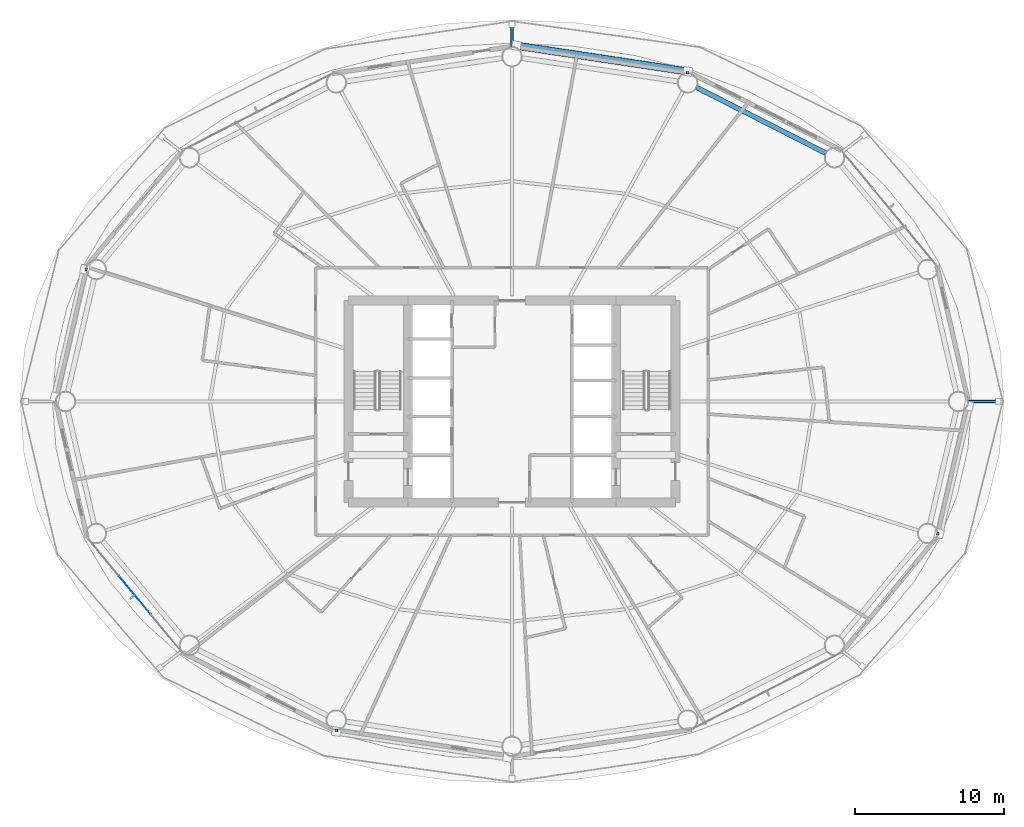
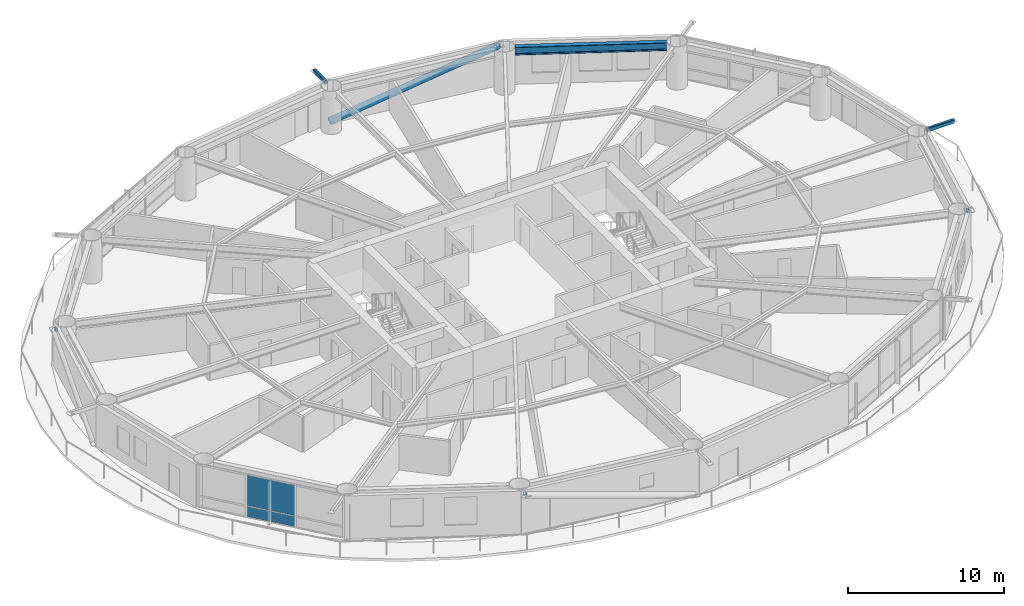
# One storey, part 15 of 26: 7 members, 2 plates, 1 beam, 1 element without a shape of its own.
"""IFC4 building model written with IfcOpenShell, lengths in metres."""

from ifc_helpers import new_model, si_unit, direction, frame, origin, origin_2d, place, context, subcontext, project, spatial, rectangle, hollow_rectangle, hollow_circle, i_section, extrude, material, layer, layer_set, material_profile, profile_set, type_object, element, aggregate, save


model = new_model("IFC4")

# Units and contexts
model_context = context("Model", 3, precision=1e-05, world=origin(), true_north=direction((0.0, 1.0)))
body_context = subcontext(model_context, "Body", "Model", "MODEL_VIEW")
ifc_project = project(units=[si_unit("LENGTHUNIT", "METRE"), si_unit("AREAUNIT", "SQUARE_METRE"), si_unit("VOLUMEUNIT", "CUBIC_METRE"), si_unit("PLANEANGLEUNIT", "RADIAN"), si_unit("MASSUNIT", "GRAM", prefix="KILO")], contexts=[model_context])

# Site, building, storey
site_placement = place(None, origin())
site = spatial("IfcSite", under=ifc_project, at=site_placement, CompositionType="ELEMENT")
building_placement = place(site_placement, origin())
building = spatial("IfcBuilding", under=site, at=building_placement, Name="Sarneth Arch Tower", CompositionType="ELEMENT")
storey_placement = place(building_placement, frame((0.0, 0.0, 57.0)))
storey = spatial("IfcBuildingStorey", under=building, at=storey_placement, Name="L13", CompositionType="ELEMENT", Elevation=57.0)

# Beam
ifc_material_1 = material(Name="Steel S355", Category="steel")
ifc_material_profile_1 = material_profile(ifc_material_1, i_section(OverallWidth=0.326904296875, OverallDepth=0.6220703125, WebThickness=0.015380859375, FlangeThickness=0.0244140625, FilletRadius=0.01904296875, at=origin_2d()), Name="W610x195")
ifc_profile_set_1 = profile_set([ifc_material_profile_1], Name="Steel S355")
beam_type = type_object("IfcBeamType", Name="BM-SPAN-610A", PredefinedType="SPANDREL", material=ifc_profile_set_1)
beam_placement = place(storey_placement, frame((69.09521484375, 58.711181640625, 3.069091796875), z_axis=(-0.8911738076, 0.453662037919, 0.0), x_axis=(-0.453662037919, -0.8911738076, 0.0)))
element("IfcBeam", 1, at=beam_placement, inside=storey, type_object=beam_type, Name="L13 Perimeter spandrel beam 03", PredefinedType="SPANDREL", context=body_context, shape_type="SweptSolid", body=[
    extrude(i_section(OverallWidth=0.326904296875, OverallDepth=0.6220703125, WebThickness=0.015380859375, FlangeThickness=0.0244140625, FilletRadius=0.01904296875, at=origin_2d()), origin(), (0.0, 0.0, 1.0), 9.735107421875),
])

# Members
ifc_material_2 = material(Name="Steel S355", Category="steel")
ifc_material_profile_2 = material_profile(ifc_material_2, hollow_rectangle(XDim=0.199951171875, YDim=0.300048828125, WallThickness=0.012451171875, InnerFilletRadius=0.018798828125, OuterFilletRadius=0.03125, at=origin_2d()), Name="RHS300x200x12.5")
ifc_profile_set_2 = profile_set([ifc_material_profile_2], Name="Steel S355")
member_type_1 = type_object("IfcMemberType", Name="MEM-CANT-STRUT", PredefinedType="STRUT", material=ifc_profile_set_2)
member_1_placement = place(storey_placement, frame((78.709716796875, 42.0, 3.219970703125), z_axis=(1.0, 0.0, 0.0), x_axis=(0.0, 1.0, 0.0)))
element("IfcMember", 2, at=member_1_placement, inside=storey, type_object=member_type_1, Name="L13 Balcony cantilever bracket 01", PredefinedType="STRUT", context=body_context, shape_type="SweptSolid", body=[
    extrude(hollow_rectangle(XDim=0.199951171875, YDim=0.300048828125, WallThickness=0.012451171875, InnerFilletRadius=0.018798828125, OuterFilletRadius=0.03125, at=origin_2d()), origin(), (0.0, 0.0, 1.0), 2.01171875),
])
member_2_placement = place(storey_placement, frame((59.819091796875, 64.04150390625, 3.0068359375), z_axis=(0.003095960395, 0.999995207503, 0.0), x_axis=(-0.999995207503, 0.003095960395, 0.0)))
element("IfcMember", 3, at=member_2_placement, inside=storey, type_object=member_type_1, Name="L13 Exoskeleton brace node strut 04B", PredefinedType="STRUT", context=body_context, shape_type="SweptSolid", body=[
    extrude(hollow_rectangle(XDim=0.199951171875, YDim=0.300048828125, WallThickness=0.012451171875, InnerFilletRadius=0.018798828125, OuterFilletRadius=0.03125, at=origin_2d()), origin(), (0.0, 0.0, 1.0), 0.15771484375),
])
member_3_placement = place(storey_placement, frame((48.0, 65.875, 3.219970703125), z_axis=(0.0, 1.0, 0.0), x_axis=(-1.0, 0.0, 0.0)))
element("IfcMember", 4, at=member_3_placement, inside=storey, type_object=member_type_1, Name="L13 Balcony cantilever bracket 05", PredefinedType="STRUT", context=body_context, shape_type="SweptSolid", body=[
    extrude(hollow_rectangle(XDim=0.199951171875, YDim=0.300048828125, WallThickness=0.012451171875, InnerFilletRadius=0.018798828125, OuterFilletRadius=0.03125, at=origin_2d()), origin(), (0.0, 0.0, 1.0), 1.488525390625),
])
member_4_placement = place(storey_placement, frame((19.427001953125, 50.883056640625, 3.0068359375), z_axis=(-0.999961074937, 0.008823185955, 0.0), x_axis=(-0.008823185955, -0.999961074937, 0.0)))
element("IfcMember", 5, at=member_4_placement, inside=storey, type_object=member_type_1, Name="L13 Exoskeleton brace node strut 08B", PredefinedType="STRUT", context=body_context, shape_type="SweptSolid", body=[
    extrude(hollow_rectangle(XDim=0.199951171875, YDim=0.300048828125, WallThickness=0.012451171875, InnerFilletRadius=0.018798828125, OuterFilletRadius=0.03125, at=origin_2d()), origin(), (0.0, 0.0, 1.0), 0.166015625),
])
member_5_placement = place(storey_placement, frame((36.180908203125, 19.95849609375, 3.0068359375), z_axis=(-0.003095960395, -0.999995207503, 0.0), x_axis=(0.999995207503, -0.003095960395, 0.0)))
element("IfcMember", 6, at=member_5_placement, inside=storey, type_object=member_type_1, Name="L13 Exoskeleton brace node strut 12B", PredefinedType="STRUT", context=body_context, shape_type="SweptSolid", body=[
    extrude(hollow_rectangle(XDim=0.199951171875, YDim=0.300048828125, WallThickness=0.012451171875, InnerFilletRadius=0.018798828125, OuterFilletRadius=0.03125, at=origin_2d()), origin(), (0.0, 0.0, 1.0), 0.15771484375),
])
member_6_placement = place(storey_placement, frame((76.572998046875, 33.116943359375, 3.0068359375), z_axis=(0.999961074937, -0.008823185955, 0.0), x_axis=(0.008823185955, 0.999961074937, 0.0)))
element("IfcMember", 7, at=member_6_placement, inside=storey, type_object=member_type_1, Name="L13 Exoskeleton brace node strut 16B", PredefinedType="STRUT", context=body_context, shape_type="SweptSolid", body=[
    extrude(hollow_rectangle(XDim=0.199951171875, YDim=0.300048828125, WallThickness=0.012451171875, InnerFilletRadius=0.018798828125, OuterFilletRadius=0.03125, at=origin_2d()), origin(), (0.0, 0.0, 1.0), 0.166015625),
])
ifc_material_3 = material(Name="Steel S355", Category="steel")
ifc_material_profile_3 = material_profile(ifc_material_3, hollow_circle(Radius=0.25390625, WallThickness=0.01611328125, at=origin_2d()), Name="CHS508x16")
ifc_profile_set_3 = profile_set([ifc_material_profile_3], Name="Steel S355")
member_type_2 = type_object("IfcMemberType", Name="MEM-DIAG-BR1", PredefinedType="BRACE", material=ifc_profile_set_3)
member_7_placement = place(storey_placement, frame((48.296630859375, 65.935302734375, 0.02001953125), z_axis=(0.957875899759, -0.144316613483, 0.248287083301), x_axis=(0.1489817545, 0.988839944999, 0.0)))
element("IfcMember", 8, at=member_7_placement, inside=storey, type_object=member_type_2, Name="L13 Perimeter frame diagonal 04", PredefinedType="BRACE", context=body_context, shape_type="SweptSolid", body=[
    extrude(hollow_circle(Radius=0.25390625, WallThickness=0.01611328125, at=origin_2d()), origin(), (0.0, 0.0, 1.0), 12.02978515625),
])

# Curtain wall, plates
ifc_material_4 = material(Name="Anodised aluminium Type AA25 and solar-control low-e laminated IGU", Category="aluminium")
ifc_layer_1 = layer(ifc_material_4, 0.159912109375)
ifc_layer_set_1 = layer_set([ifc_layer_1], Name="Anodised aluminium Type AA25 and solar-control low-e laminated IGU")
curtain_wall_type = type_object("IfcCurtainWallType", Name="CW-HOTEL-LOW", PredefinedType="NOTDEFINED", material=ifc_layer_set_1)
curtain_wall_placement = place(storey_placement, origin())
curtain_wall = element("IfcCurtainWall", 9, at=curtain_wall_placement, inside=storey, type_object=curtain_wall_type, Name="L13 Unitised curtain wall facet 10", PredefinedType="NOTDEFINED")
ifc_material_5 = material(Name="Solar-control low-e laminated IGU", Category="glass")
ifc_layer_2 = layer(ifc_material_5, 0.028076171875)
ifc_layer_set_2 = layer_set([ifc_layer_2], Name="Solar-control low-e laminated IGU")
plate_type = type_object("IfcPlateType", Name="CW-PANEL", PredefinedType="CURTAIN_PANEL", material=ifc_layer_set_2)
plate_1_placement = place(storey_placement, frame((22.62255859375, 28.98779296875, 0.06005859375), z_axis=(0.0, 0.0, 1.0), x_axis=(0.637291340827, -0.770622960278, 0.0)))
plate_1 = element("IfcPlate", 10, at=plate_1_placement, type_object=plate_type, Name="Curtain wall glazed vision pane CW-L13-F10/P01-00", PredefinedType="CURTAIN_PANEL", context=body_context, shape_type="SweptSolid", body=[
    extrude(rectangle(XDim=3.291015625, YDim=0.028076171875, at=origin_2d()), origin(), (0.0, 0.0, 1.0), 0.81005859375),
])
plate_2_placement = place(storey_placement, frame((22.62255859375, 28.98779296875, 0.93017578125), z_axis=(0.0, 0.0, 1.0), x_axis=(0.637291340827, -0.770622960278, 0.0)))
plate_2 = element("IfcPlate", 11, at=plate_2_placement, type_object=plate_type, Name="Curtain wall glazed vision pane CW-L13-F10/P01-01", PredefinedType="CURTAIN_PANEL", context=body_context, shape_type="SweptSolid", body=[
    extrude(rectangle(XDim=3.291015625, YDim=0.028076171875, at=origin_2d()), origin(), (0.0, 0.0, 1.0), 2.389892578125),
])
aggregate(curtain_wall, [plate_1, plate_2])

save(model, "model.ifc")
